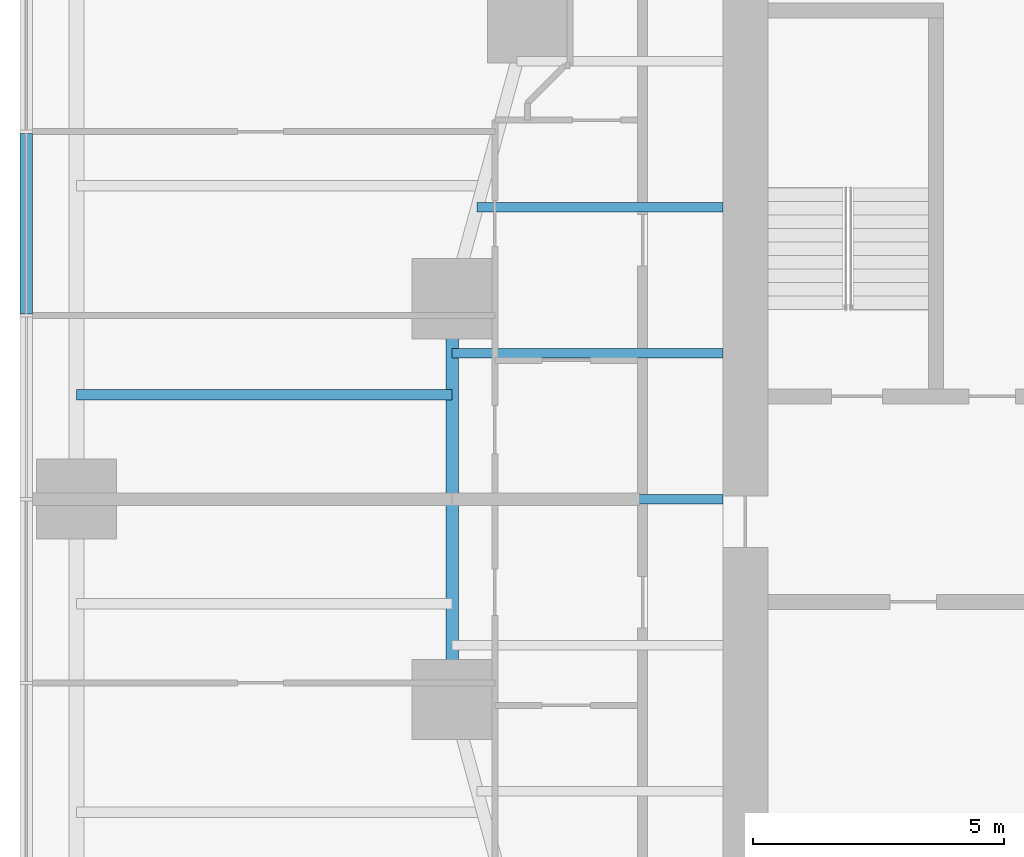
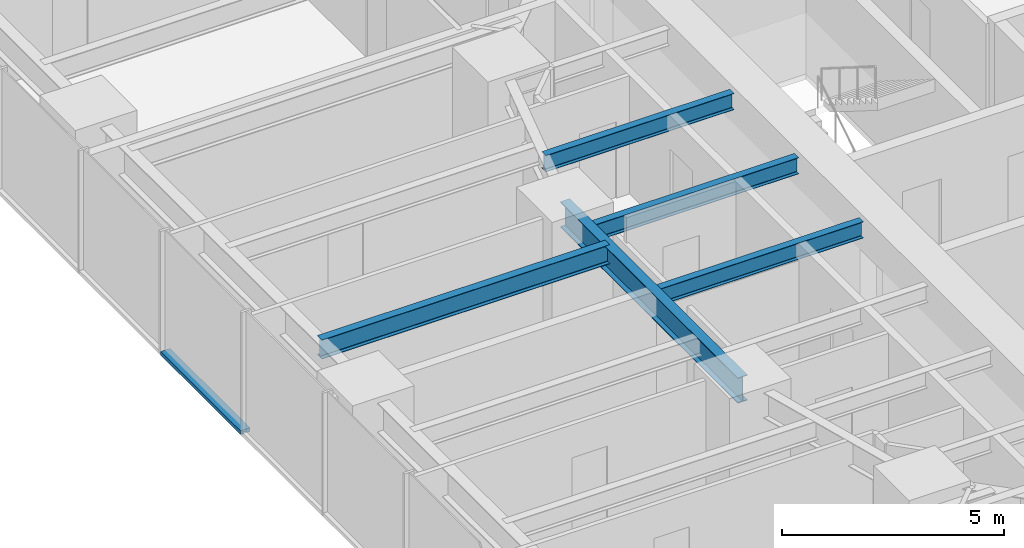
# One storey, part 3 of 18: 5 beams, 1 member, 1 element without a shape of its own.
"""IFC4 building model written with IfcOpenShell, lengths in metres."""

from ifc_helpers import new_model, si_unit, direction, frame, origin, origin_2d, place, context, subcontext, project, spatial, rectangle, i_section, extrude, material, material_profile, profile_set, type_object, element, aggregate, save


model = new_model("IFC4")

# Units and contexts
model_context = context("Model", 3, precision=1e-05, world=origin(), true_north=direction((0.0, 1.0)))
body_context = subcontext(model_context, "Body", "Model", "MODEL_VIEW")
ifc_project = project(units=[si_unit("LENGTHUNIT", "METRE"), si_unit("AREAUNIT", "SQUARE_METRE"), si_unit("VOLUMEUNIT", "CUBIC_METRE"), si_unit("PLANEANGLEUNIT", "RADIAN"), si_unit("MASSUNIT", "GRAM", prefix="KILO")], contexts=[model_context])

# Site, building, storey
site_placement = place(None, origin())
site = spatial("IfcSite", under=ifc_project, at=site_placement, CompositionType="ELEMENT")
building_placement = place(site_placement, origin())
building = spatial("IfcBuilding", under=site, at=building_placement, Name="Torsade Residences", CompositionType="ELEMENT")
storey_placement = place(building_placement, frame((0.0, 0.0, 25.199951171875)))
storey = spatial("IfcBuildingStorey", under=building, at=storey_placement, Name="L06", CompositionType="ELEMENT", Elevation=25.199951171875)

# Curtain wall, member
ifc_material_1 = material(Name="Aluminium and glass", Category="aluminium")
curtain_wall_type = type_object("IfcCurtainWallType", Name="FRITTED GLASS CURTAIN WALL LOW ZONE", PredefinedType="NOTDEFINED", material=ifc_material_1)
curtain_wall_placement = place(storey_placement, origin())
curtain_wall = element("IfcCurtainWall", 1, at=curtain_wall_placement, inside=storey, type_object=curtain_wall_type, Name="Curtain wall L06 face 10", PredefinedType="NOTDEFINED")
ifc_material_2 = material(Name="Aluminium transom", Category="aluminium")
ifc_material_profile_1 = material_profile(ifc_material_2, rectangle(XDim=0.25, YDim=0.10009765625, at=origin_2d()), Name="CURTAIN WALL TRANSOM 250x100")
ifc_profile_set_1 = profile_set([ifc_material_profile_1], Name="Aluminium transom")
member_type = type_object("IfcMemberType", Name="CURTAIN WALL TRANSOM 250x100", PredefinedType="USERDEFINED", material=ifc_profile_set_1)
member_placement = place(storey_placement, frame((14.0, 37.30078125, 0.050048828125), z_axis=(0.0, -1.0, 0.0), x_axis=(1.0, 0.0, 0.0)))
member = element("IfcMember", 2, at=member_placement, type_object=member_type, Name="Transom 5.1", ObjectType="TRANSOM", PredefinedType="USERDEFINED", context=body_context, shape_type="SweptSolid", body=[
    extrude(rectangle(XDim=0.25, YDim=0.10009765625, at=origin_2d()), origin(), (0.0, 0.0, 1.0), 3.6015625),
])
aggregate(curtain_wall, [member])

# Beams
ifc_material_3 = material(Name="Steel grade 300", Category="steel")
ifc_material_profile_2 = material_profile(ifc_material_3, i_section(OverallWidth=0.18994140625, OverallDepth=0.4541015625, WebThickness=0.008544921875, FlangeThickness=0.0126953125, FilletRadius=0.011474609375, at=origin_2d()), Name="460UB67.1")
ifc_profile_set_2 = profile_set([ifc_material_profile_2], Name="Steel grade 300")
beam_type_1 = type_object("IfcBeamType", Name="INNER FLOOR BEAM 460UB67.1", PredefinedType="JOIST", material=ifc_profile_set_2)
beam_1_placement = place(storey_placement, frame((27.89990234375, 35.824951171875, 3.02294921875), z_axis=(-1.0, 0.0, 0.0), x_axis=(0.0, -1.0, 0.0)))
element("IfcBeam", 3, at=beam_1_placement, inside=storey, type_object=beam_type_1, Name="Inner floor beam IW02 L07", PredefinedType="JOIST", context=body_context, shape_type="SweptSolid", body=[
    extrude(i_section(OverallWidth=0.18994140625, OverallDepth=0.4541015625, WebThickness=0.008544921875, FlangeThickness=0.0126953125, FilletRadius=0.011474609375, at=origin_2d()), origin(), (0.0, 0.0, 1.0), 4.902099609375),
])
for number, where, z_axis, x_axis, name in (
    (4, (27.89990234375, 32.91259765625, 3.02294921875), (-1.0, 0.0, 0.0), (0.0, -1.0, 0.0), "Inner floor beam IW03 L07"),
    (5, (27.89990234375, 30.0, 3.02294921875), (-1.0, 0.0, 0.0), (0.0, -1.0, 0.0), "Inner floor beam IW04 L07"),
):
    element("IfcBeam", number, at=place(storey_placement, frame(where, z_axis=z_axis, x_axis=x_axis)), inside=storey, type_object=beam_type_1, Name=name, PredefinedType="JOIST", context=body_context, shape_type="SweptSolid", body=[
        extrude(i_section(OverallWidth=0.18994140625, OverallDepth=0.4541015625, WebThickness=0.008544921875, FlangeThickness=0.0126953125, FilletRadius=0.011474609375, at=origin_2d()), origin(), (0.0, 0.0, 1.0), 5.39990234375),
    ])
ifc_material_4 = material(Name="Steel grade 300", Category="steel")
ifc_material_profile_3 = material_profile(ifc_material_4, i_section(OverallWidth=0.25, OverallDepth=0.699951171875, WebThickness=0.010009765625, FlangeThickness=0.02001953125, at=origin_2d()), Name="700WB130")
ifc_profile_set_3 = profile_set([ifc_material_profile_3], Name="Steel grade 300")
beam_type_2 = type_object("IfcBeamType", Name="RING GIRDER 700WB130", PredefinedType="BEAM", material=ifc_profile_set_3)
beam_2_placement = place(storey_placement, frame((22.5, 34.0, 2.900146484375), z_axis=(0.0, -1.0, 0.0), x_axis=(1.0, 0.0, 0.0)))
element("IfcBeam", 6, at=beam_2_placement, inside=storey, type_object=beam_type_2, Name="Ring girder IR09 L07", PredefinedType="BEAM", context=body_context, shape_type="SweptSolid", body=[
    extrude(i_section(OverallWidth=0.25, OverallDepth=0.699951171875, WebThickness=0.010009765625, FlangeThickness=0.02001953125, at=origin_2d()), origin(), (0.0, 0.0, 1.0), 8.0),
])
ifc_material_5 = material(Name="Steel grade 300", Category="steel")
ifc_material_profile_4 = material_profile(ifc_material_5, i_section(OverallWidth=0.208984375, OverallDepth=0.528076171875, WebThickness=0.009521484375, FlangeThickness=0.01318359375, FilletRadius=0.013916015625, at=origin_2d()), Name="530UB82.0")
ifc_profile_set_4 = profile_set([ifc_material_profile_4], Name="Steel grade 300")
beam_type_3 = type_object("IfcBeamType", Name="SECONDARY BEAM 530UB82.0", PredefinedType="JOIST", material=ifc_profile_set_4)
beam_3_placement = place(storey_placement, frame((15.0, 32.083251953125, 2.986083984375), z_axis=(1.0, 0.0, 0.0), x_axis=(0.0, 1.0, 0.0)))
element("IfcBeam", 7, at=beam_3_placement, inside=storey, type_object=beam_type_3, Name="Floor beam FW06 L07", PredefinedType="JOIST", context=body_context, shape_type="SweptSolid", body=[
    extrude(i_section(OverallWidth=0.208984375, OverallDepth=0.528076171875, WebThickness=0.009521484375, FlangeThickness=0.01318359375, FilletRadius=0.013916015625, at=origin_2d()), origin(), (0.0, 0.0, 1.0), 7.5),
])

save(model, "model.ifc")
